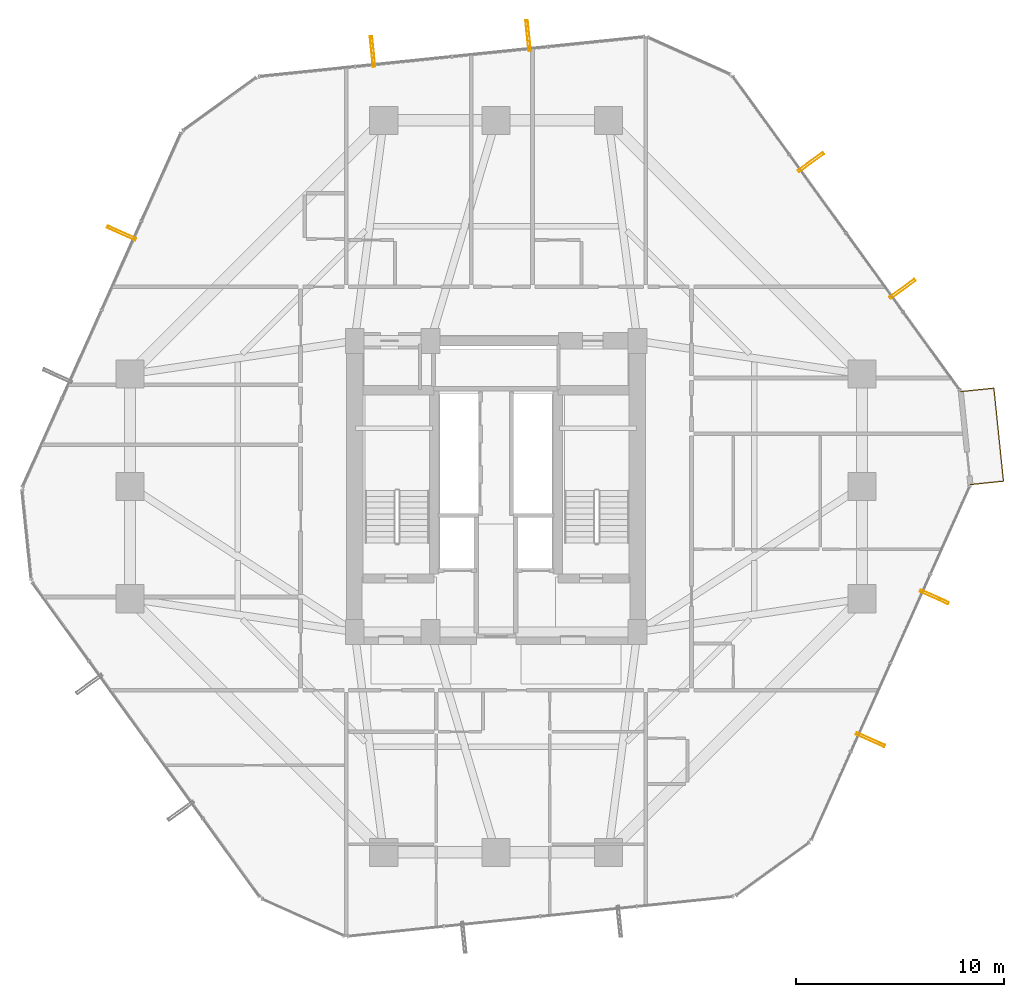
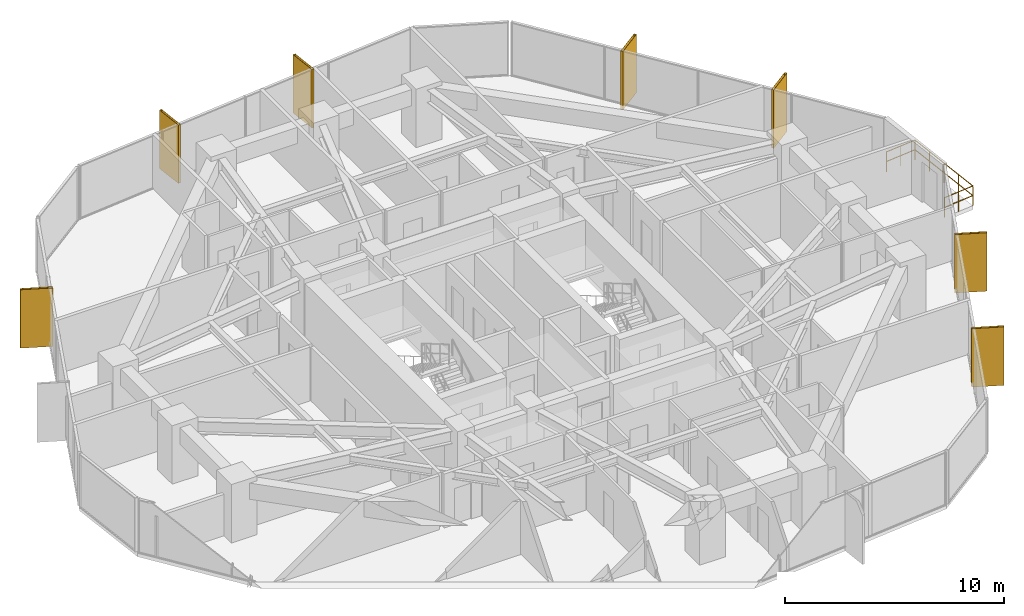
# One storey, part 37 of 37: 7 shading devices, 1 railing.
"""IFC4 building model written with IfcOpenShell, lengths in metres."""

from ifc_helpers import new_model, si_unit, direction, frame, origin, origin_2d, place, context, subcontext, project, spatial, hollow_rectangle, circle, extrude, material, material_profile, profile_set, type_object, element, save


model = new_model("IFC4")

# Units and contexts
model_context = context("Model", 3, precision=1e-05, world=origin(), true_north=direction((0.0, 1.0)))
body_context = subcontext(model_context, "Body", "Model", "MODEL_VIEW")
ifc_project = project(units=[si_unit("LENGTHUNIT", "METRE"), si_unit("AREAUNIT", "SQUARE_METRE"), si_unit("VOLUMEUNIT", "CUBIC_METRE"), si_unit("PLANEANGLEUNIT", "RADIAN"), si_unit("MASSUNIT", "GRAM", prefix="KILO")], contexts=[model_context])

# Site, building, storey
site_placement = place(None, origin())
site = spatial("IfcSite", under=ifc_project, at=site_placement, CompositionType="ELEMENT")
building_placement = place(site_placement, origin())
building = spatial("IfcBuilding", under=site, at=building_placement, Name="Veraguas Prism Commons", CompositionType="ELEMENT")
storey_placement = place(building_placement, frame((0.0, 0.0, 43.550048828125)))
storey = spatial("IfcBuildingStorey", under=building, at=storey_placement, Name="L11", CompositionType="ELEMENT", Elevation=43.550048828125)

# Shading devices
ifc_material_1 = material(Name="Anodised aluminium EN AW-6063 T6", Category="aluminium")
ifc_material_profile = material_profile(ifc_material_1, hollow_rectangle(XDim=0.1201171875, YDim=1.489990234375, WallThickness=0.006103515625, at=origin_2d()), Name="FIN120X1490X6")
ifc_profile_set = profile_set([ifc_material_profile], Name="Anodised aluminium EN AW-6063 T6")
shading_device_type = type_object("IfcShadingDeviceType", Name="Deep Pale-Metal Vertical Solar Fin 120x1490", PredefinedType="USERDEFINED", material=ifc_profile_set)
for number, where, z_axis, x_axis, name in (
    (1, (43.55126953125, 33.500732421875, -0.22998046875), (0.0, 0.0, 1.0), (-0.586089563144, 0.810246273656, 0.0), "Vertical Pale-Metal Solar Fin L11-F1A"),
    (2, (39.142822265625, 39.59521484375, -0.22998046875), (0.0, 0.0, 1.0), (-0.586089563144, 0.810246273656, 0.0), "Vertical Pale-Metal Solar Fin L11-F1B"),
    (3, (25.547607421875, 45.68212890625, -0.22998046875), (0.0, 0.0, 1.0), (-0.994738995475, -0.102441841454, 0.0), "Vertical Pale-Metal Solar Fin L11-F2A"),
    (4, (18.065673828125, 44.91162109375, -0.22998046875), (0.0, 0.0, 1.0), (-0.994738995475, -0.102441841454, 0.0), "Vertical Pale-Metal Solar Fin L11-F2B"),
    (5, (5.996337890625, 36.181396484375, -0.22998046875), (0.0, 0.0, 1.0), (-0.408645888839, -0.912693013852, 0.0), "Vertical Pale-Metal Solar Fin L11-F3A"),
    (6, (42.003662109375, 11.818603515625, -0.22998046875), (0.0, 0.0, 1.0), (0.408645888839, 0.912693013852, 0.0), "Vertical Pale-Metal Solar Fin L11-F6A"),
    (7, (45.0771484375, 18.683349609375, -0.22998046875), (0.0, 0.0, 1.0), (0.408645888839, 0.912693013852, 0.0), "Vertical Pale-Metal Solar Fin L11-F6B"),
):
    element("IfcShadingDevice", number, at=place(storey_placement, frame(where, z_axis=z_axis, x_axis=x_axis)), inside=storey, type_object=shading_device_type, Name=name, ObjectType="FIN", PredefinedType="USERDEFINED", context=body_context, shape_type="SweptSolid", body=[
        extrude(hollow_rectangle(XDim=0.1201171875, YDim=1.489990234375, WallThickness=0.006103515625, at=origin_2d()), origin(), (0.0, 0.0, 1.0), 3.25),
    ])

# Railing
ifc_material_2 = material(Name="Stainless steel AISI 316", Category="steel")
railing_type = type_object("IfcRailingType", Name="Loggia and Sky Pool Glazed Balustrade 1120", PredefinedType="BALUSTRADE", material=ifc_material_2)
railing_placement = place(storey_placement, frame((46.81201171875, 24.08740234375, 0.0)))
element("IfcRailing", 8, at=railing_placement, inside=storey, type_object=railing_type, Name="Recessed Corner Loggia L11-C1 Guard", PredefinedType="BALUSTRADE", context=body_context, shape_type="SweptSolid", body=[
    extrude(circle(Radius=0.02392578125, at=origin_2d()), frame((0.0, 0.0, 1.09619140625), z_axis=(0.994744441714, 0.102388943149, 0.0), x_axis=(-0.102388943149, 0.994744441714, 0.0)), (0.0, 0.0, 1.0), 1.599853515625),
    extrude(circle(Radius=0.02392578125, at=origin_2d()), frame((0.0, 0.0, 0.56005859375), z_axis=(0.994744441714, 0.102388943149, 0.0), x_axis=(-0.102388943149, 0.994744441714, 0.0)), (0.0, 0.0, 1.0), 1.599853515625),
    extrude(circle(Radius=0.02392578125, at=origin_2d()), frame((1.591552734375, 0.163818359375, 1.09619140625), z_axis=(-0.10242530748, 0.994740698065, 0.0), x_axis=(-0.994740698065, -0.10242530748, 0.0)), (0.0, 0.0, 1.0), 4.500244140625),
    extrude(circle(Radius=0.02392578125, at=origin_2d()), frame((1.591552734375, 0.163818359375, 0.56005859375), z_axis=(-0.10242530748, 0.994740698065, 0.0), x_axis=(-0.994740698065, -0.10242530748, 0.0)), (0.0, 0.0, 1.0), 4.500244140625),
    extrude(circle(Radius=0.02392578125, at=origin_2d()), frame((1.130615234375, 4.640380859375, 1.09619140625), z_axis=(-0.994728888919, -0.102539931485, 0.0), x_axis=(0.102539931485, -0.994728888919, 0.0)), (0.0, 0.0, 1.0), 1.60009765625),
    extrude(circle(Radius=0.02392578125, at=origin_2d()), frame((1.130615234375, 4.640380859375, 0.56005859375), z_axis=(-0.994728888919, -0.102539931485, 0.0), x_axis=(0.102539931485, -0.994728888919, 0.0)), (0.0, 0.0, 1.0), 1.60009765625),
    extrude(circle(Radius=0.02099609375, at=origin_2d()), origin(), (0.0, 0.0, 1.0), 1.072021484375),
    extrude(circle(Radius=0.02099609375, at=origin_2d()), frame((0.7958984375, 0.08203125, 0.0)), (0.0, 0.0, 1.0), 1.072021484375),
    extrude(circle(Radius=0.02099609375, at=origin_2d()), frame((1.591552734375, 0.163818359375, 0.0)), (0.0, 0.0, 1.0), 1.072021484375),
    extrude(circle(Radius=0.02099609375, at=origin_2d()), frame((1.476318359375, 1.282958984375, 0.0)), (0.0, 0.0, 1.0), 1.072021484375),
    extrude(circle(Radius=0.02099609375, at=origin_2d()), frame((1.361083984375, 2.402099609375, 0.0)), (0.0, 0.0, 1.0), 1.072021484375),
    extrude(circle(Radius=0.02099609375, at=origin_2d()), frame((1.245849609375, 3.521240234375, 0.0)), (0.0, 0.0, 1.0), 1.072021484375),
    extrude(circle(Radius=0.02099609375, at=origin_2d()), frame((1.130615234375, 4.640380859375, 0.0)), (0.0, 0.0, 1.0), 1.072021484375),
    extrude(circle(Radius=0.02099609375, at=origin_2d()), frame((0.3349609375, 4.558349609375, 0.0)), (0.0, 0.0, 1.0), 1.072021484375),
    extrude(circle(Radius=0.02099609375, at=origin_2d()), frame((-0.4609375, 4.476318359375, 0.0)), (0.0, 0.0, 1.0), 1.072021484375),
])

save(model, "model.ifc")
